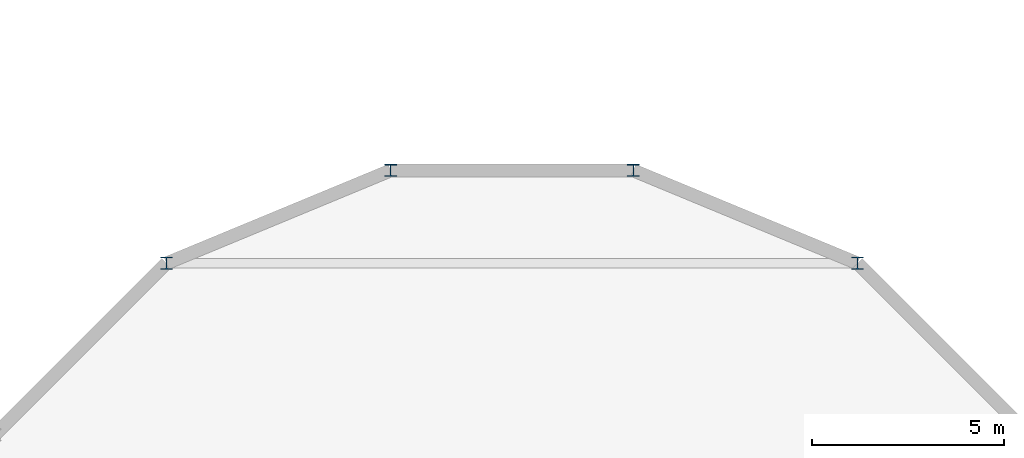
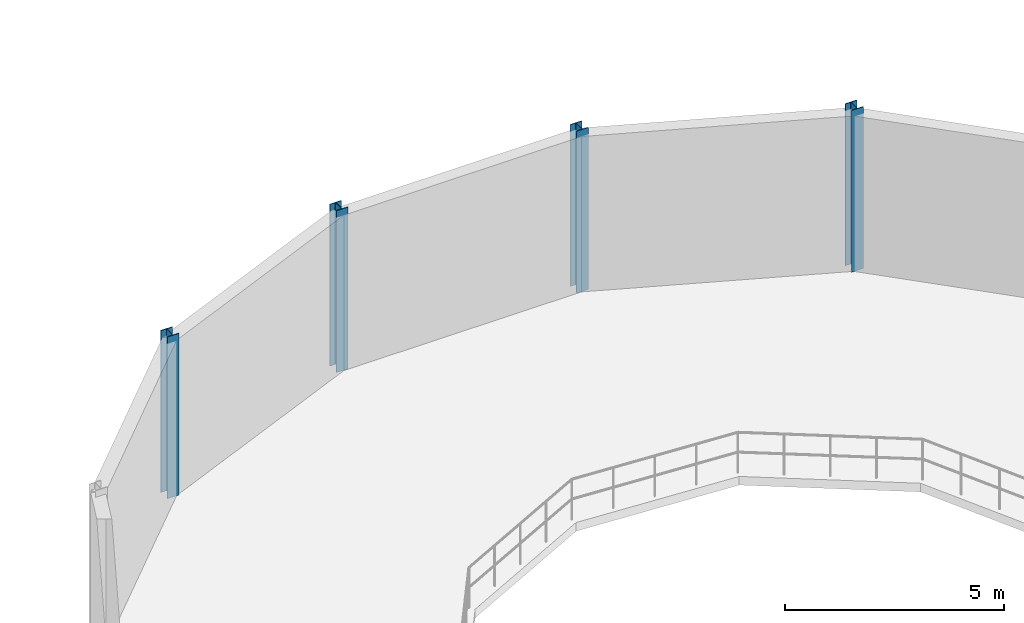
# One storey, part 3 of 140: 4 columns.
"""IFC4 building model written with IfcOpenShell, lengths in metres."""

from ifc_helpers import new_model, si_unit, direction, frame, origin, origin_2d, place, context, subcontext, project, spatial, i_section, extrude, material, material_profile, profile_set, type_object, element, save


model = new_model("IFC4")

# Units and contexts
model_context = context("Model", 3, precision=1e-05, world=origin(), true_north=direction((0.0, 1.0)))
body_context = subcontext(model_context, "Body", "Model", "MODEL_VIEW")
ifc_project = project(units=[si_unit("LENGTHUNIT", "METRE"), si_unit("AREAUNIT", "SQUARE_METRE"), si_unit("VOLUMEUNIT", "CUBIC_METRE"), si_unit("PLANEANGLEUNIT", "RADIAN"), si_unit("MASSUNIT", "GRAM", prefix="KILO"), si_unit("THERMODYNAMICTEMPERATUREUNIT", "KELVIN"), si_unit("POWERUNIT", "WATT")], contexts=[model_context])

# Site, building, storey
site_placement = place(None, origin())
site = spatial("IfcSite", under=ifc_project, at=site_placement, CompositionType="ELEMENT")
building_placement = place(site_placement, origin())
building = spatial("IfcBuilding", under=site, at=building_placement, Name="Tallowbark Science Centre", CompositionType="ELEMENT")
storey_placement = place(building_placement, frame((0.0, 0.0, 9.89990234375)))
storey = spatial("IfcBuildingStorey", under=building, at=storey_placement, Name="L02", CompositionType="ELEMENT", Elevation=9.89990234375)

# Columns
ifc_material = material(Name="Structural Steel Grade 300PLUS (300 MPa)", Category="steel")
ifc_material_profile = material_profile(ifc_material, i_section(OverallWidth=0.307373046875, OverallDepth=0.314697265625, WebThickness=0.011962890625, FlangeThickness=0.018798828125, FilletRadius=0.0166015625, at=origin_2d()), Name="310UC118")
ifc_profile_set = profile_set([ifc_material_profile], Name="Structural Steel Grade 300PLUS (300 MPa)")
column_type = type_object("IfcColumnType", Name="PIL-UC310", PredefinedType="PILASTER", material=ifc_profile_set)
for number, where, z_axis, x_axis, name in (
    (1, (31.500244140625, 31.4697265625, 0.0), (0.0, 0.0, 1.0), (1.0, 0.0, 0.0), "Column DRM-P03 L02"),
    (2, (25.660400390625, 33.888671875, 0.0), (0.0, 0.0, 1.0), (1.0, 0.0, 0.0), "Column DRM-P04 L02"),
    (3, (19.339599609375, 33.888671875, 0.0), (0.0, 0.0, 1.0), (1.0, 0.0, 0.0), "Column DRM-P05 L02"),
    (4, (13.499755859375, 31.4697265625, 0.0), (0.0, 0.0, 1.0), (1.0, 0.0, 0.0), "Column DRM-P06 L02"),
):
    element("IfcColumn", number, at=place(storey_placement, frame(where, z_axis=z_axis, x_axis=x_axis)), inside=storey, type_object=column_type, Name=name, PredefinedType="PILASTER", context=body_context, shape_type="SweptSolid", body=[
        extrude(i_section(OverallWidth=0.307373046875, OverallDepth=0.314697265625, WebThickness=0.011962890625, FlangeThickness=0.018798828125, FilletRadius=0.0166015625, at=origin_2d()), origin(), (0.0, 0.0, 1.0), 4.5),
    ])

save(model, "model.ifc")
